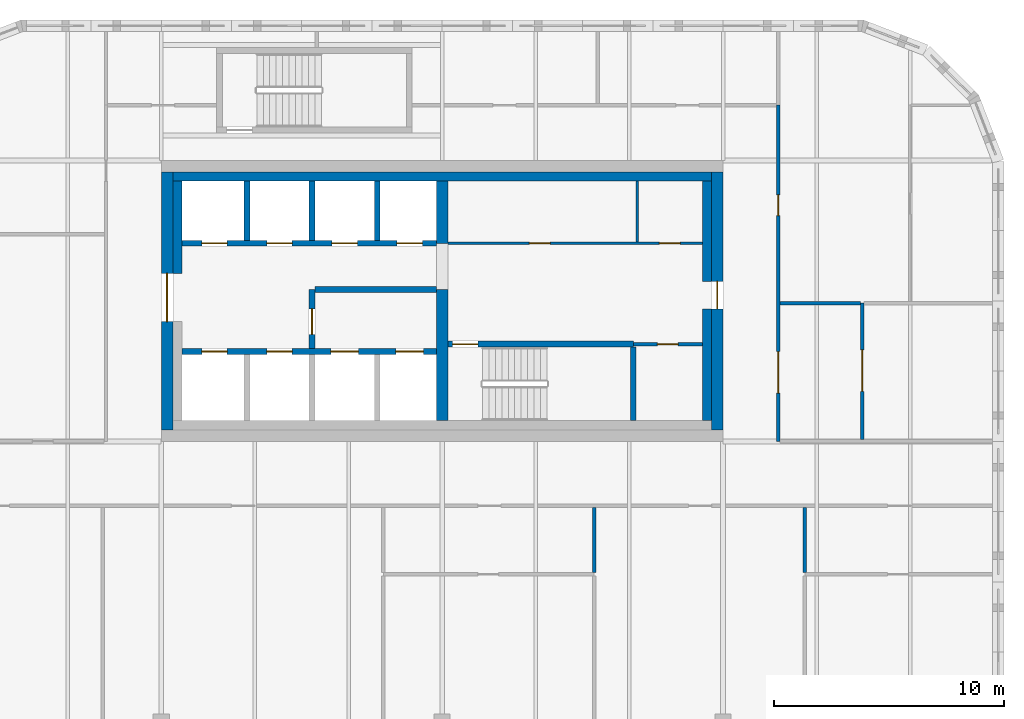
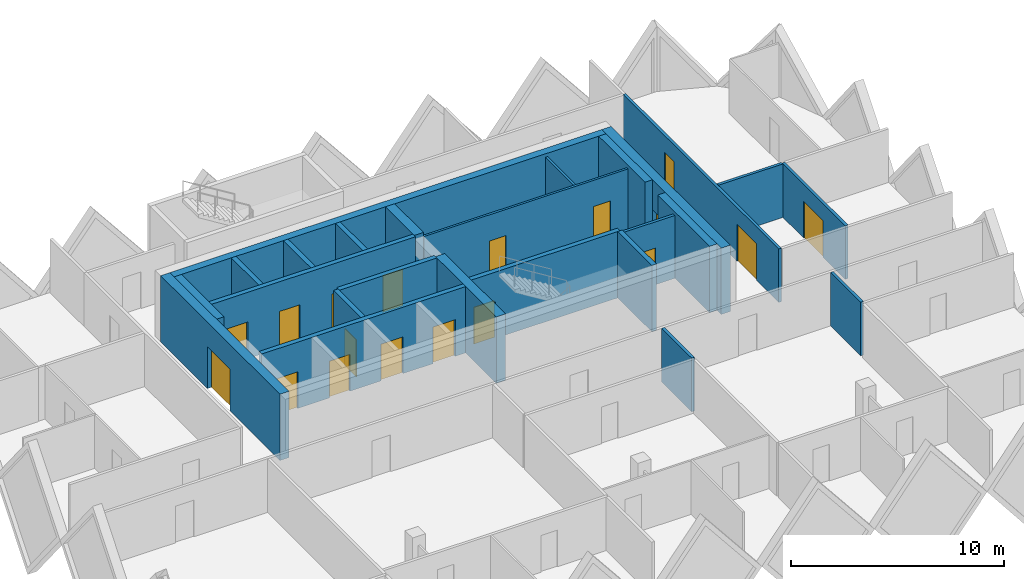
# One storey, part 14 of 19: 25 walls, 18 doors, 18 openings.
"""IFC4 building model written with IfcOpenShell, lengths in metres."""

from ifc_helpers import new_model, si_unit, direction, frame, frame_2d, origin, place, context, subcontext, project, spatial, rectangle, extrude, source, transform, mapped, material, layer, layer_set, type_object, element, fill, save


model = new_model("IFC4")

# Units and contexts
model_context = context("Model", 3, precision=1e-05, world=origin(), true_north=direction((0.0, 1.0)))
body_context = subcontext(model_context, "Body", "Model", "MODEL_VIEW")
ifc_project = project(units=[si_unit("LENGTHUNIT", "METRE"), si_unit("AREAUNIT", "SQUARE_METRE"), si_unit("VOLUMEUNIT", "CUBIC_METRE"), si_unit("PLANEANGLEUNIT", "RADIAN"), si_unit("MASSUNIT", "GRAM", prefix="KILO")], contexts=[model_context])

# Site, building, storey
site_placement = place(None, origin())
site = spatial("IfcSite", under=ifc_project, at=site_placement, CompositionType="ELEMENT")
building_placement = place(site_placement, origin())
building = spatial("IfcBuilding", under=site, at=building_placement, Name="Tessera Gate Towers", CompositionType="ELEMENT")
storey_placement = place(building_placement, frame((0.0, 0.0, 76.199951171875)))
storey = spatial("IfcBuildingStorey", under=building, at=storey_placement, Name="L18", CompositionType="ELEMENT", Elevation=76.199951171875)

# Wall, openings, doors
ifc_material_1 = material(Name="Concrete C40/50", Category="concrete")
ifc_layer_1 = layer(ifc_material_1, 0.25)
ifc_layer_set_1 = layer_set([ifc_layer_1], Name="CORE ENCLOSURE WALL 250")
wall_type_1 = type_object("IfcWallType", Name="CORE ENCLOSURE WALL 250", PredefinedType="SOLIDWALL", material=ifc_layer_set_1)
wall_1_placement = place(storey_placement, frame((98.5, 40.5, 0.0), z_axis=(0.0, 0.0, 1.0), x_axis=(1.0, 0.0, 0.0)))
wall_1 = element("IfcWall", 1, at=wall_1_placement, inside=storey, type_object=wall_type_1, Name="L18 shaft and stair enclosure wall", PredefinedType="SOLIDWALL", context=body_context, shape_type="SweptSolid", body=[
    extrude(rectangle(XDim=11.050048828125, YDim=0.25, at=frame_2d((5.52490234375, 0.0))), origin(), (0.0, 0.0, 1.0), 3.800048828125),
])
shared_shape_1 = source(origin(), body_context, "Body", "SweptSolid", [
    extrude(rectangle(XDim=1.10009765625, YDim=2.10009765625, at=frame_2d((0.550048828125, 1.050048828125))), frame((0.0, 0.135009765625, 0.0), z_axis=(0.0, -1.0, 0.0), x_axis=(1.0, 0.0, 0.0)), (0.0, 0.0, 1.0), 0.27001953125),
])
opening_1_placement = place(wall_1_placement, frame((0.862548828125, 0.0, 0.0)))
opening_1 = element("IfcOpeningElement", 2, at=opening_1_placement, cuts=wall_1, Name="Opening LD-TL1", PredefinedType="OPENING", context=body_context, shape_type="MappedRepresentation", body=[
    mapped(shared_shape_1, transform((0.0, 0.0, 0.0), scale=1.0)),
])
opening_2_placement = place(wall_1_placement, frame((3.6875, 0.0, 0.0)))
opening_2 = element("IfcOpeningElement", 3, at=opening_2_placement, cuts=wall_1, Name="Opening LD-TL2", PredefinedType="OPENING", context=body_context, shape_type="MappedRepresentation", body=[
    mapped(shared_shape_1, transform((0.0, 0.0, 0.0), scale=1.0)),
])
shared_shape_2 = source(origin(), body_context, "Body", "SweptSolid", [
    extrude(rectangle(XDim=1.199951171875, YDim=2.10009765625, at=frame_2d((0.60009765625, 1.050048828125))), frame((0.0, 0.135009765625, 0.0), z_axis=(0.0, -1.0, 0.0), x_axis=(1.0, 0.0, 0.0)), (0.0, 0.0, 1.0), 0.27001953125),
])
opening_3_placement = place(wall_1_placement, frame((6.46240234375, 0.0, 0.0)))
opening_3 = element("IfcOpeningElement", 4, at=opening_3_placement, cuts=wall_1, Name="Opening LD-FF3", PredefinedType="OPENING", context=body_context, shape_type="MappedRepresentation", body=[
    mapped(shared_shape_2, transform((0.0, 0.0, 0.0), scale=1.0)),
])
opening_4_placement = place(wall_1_placement, frame((9.28759765625, 0.0, 0.0)))
opening_4 = element("IfcOpeningElement", 5, at=opening_4_placement, cuts=wall_1, Name="Opening LD-FF4", PredefinedType="OPENING", context=body_context, shape_type="MappedRepresentation", body=[
    mapped(shared_shape_2, transform((0.0, 0.0, 0.0), scale=1.0)),
])
ifc_material_2 = material(Name="Stainless steel", Category="steel")
door_type_1 = type_object("IfcDoorType", Name="CORE DOOR LD1200 1200x2100", OperationType="DOUBLE_DOOR_SLIDING", PredefinedType="DOOR", material=ifc_material_2)
shared_shape_3 = source(origin(), body_context, "Body", "SweptSolid", [
    extrude(rectangle(XDim=1.199951171875, YDim=2.10009765625, at=frame_2d((0.60009765625, 1.050048828125))), frame((0.0, 0.02490234375, 0.0), z_axis=(0.0, -1.0, 0.0), x_axis=(1.0, 0.0, 0.0)), (0.0, 0.0, 1.0), 0.050048828125),
])
door_1_placement = place(opening_3_placement, origin())
door_1 = element("IfcDoor", 6, at=door_1_placement, inside=storey, type_object=door_type_1, Name="Landing door FF3 L18", OperationType="DOUBLE_DOOR_SLIDING", OverallHeight=2.10009765625, OverallWidth=1.199951171875, PredefinedType="DOOR", context=body_context, shape_type="MappedRepresentation", body=[
    mapped(shared_shape_3, transform((0.0, 0.0, 0.0), scale=1.0)),
])
fill(opening_3, door_1)
door_2_placement = place(opening_4_placement, origin())
door_2 = element("IfcDoor", 7, at=door_2_placement, inside=storey, type_object=door_type_1, Name="Landing door FF4 L18", OperationType="DOUBLE_DOOR_SLIDING", OverallHeight=2.10009765625, OverallWidth=1.199951171875, PredefinedType="DOOR", context=body_context, shape_type="MappedRepresentation", body=[
    mapped(shared_shape_3, transform((0.0, 0.0, 0.0), scale=1.0)),
])
fill(opening_4, door_2)
ifc_material_3 = material(Name="Stainless steel", Category="steel")
door_type_2 = type_object("IfcDoorType", Name="CORE DOOR LD 1100x2100", OperationType="DOUBLE_DOOR_SLIDING", PredefinedType="DOOR", material=ifc_material_3)
shared_shape_4 = source(origin(), body_context, "Body", "SweptSolid", [
    extrude(rectangle(XDim=1.10009765625, YDim=2.10009765625, at=frame_2d((0.550048828125, 1.050048828125))), frame((0.0, 0.02490234375, 0.0), z_axis=(0.0, -1.0, 0.0), x_axis=(1.0, 0.0, 0.0)), (0.0, 0.0, 1.0), 0.050048828125),
])
door_3_placement = place(opening_1_placement, origin())
door_3 = element("IfcDoor", 8, at=door_3_placement, inside=storey, type_object=door_type_2, Name="Landing door TL1 L18", OperationType="DOUBLE_DOOR_SLIDING", OverallHeight=2.10009765625, OverallWidth=1.10009765625, PredefinedType="DOOR", context=body_context, shape_type="MappedRepresentation", body=[
    mapped(shared_shape_4, transform((0.0, 0.0, 0.0), scale=1.0)),
])
fill(opening_1, door_3)
door_4_placement = place(opening_2_placement, origin())
door_4 = element("IfcDoor", 9, at=door_4_placement, inside=storey, type_object=door_type_2, Name="Landing door TL2 L18", OperationType="DOUBLE_DOOR_SLIDING", OverallHeight=2.10009765625, OverallWidth=1.10009765625, PredefinedType="DOOR", context=body_context, shape_type="MappedRepresentation", body=[
    mapped(shared_shape_4, transform((0.0, 0.0, 0.0), scale=1.0)),
])
fill(opening_2, door_4)

wall_2_placement = place(storey_placement, frame((109.550048828125, 45.199951171875, 0.0), z_axis=(0.0, 0.0, 1.0), x_axis=(-1.0, 0.0, 0.0)))
wall_2 = element("IfcWall", 10, at=wall_2_placement, inside=storey, type_object=wall_type_1, Name="L18 shaft and stair enclosure wall", PredefinedType="SOLIDWALL", context=body_context, shape_type="SweptSolid", body=[
    extrude(rectangle(XDim=11.050048828125, YDim=0.25, at=frame_2d((5.52490234375, 0.0))), origin(), (0.0, 0.0, 1.0), 3.800048828125),
])
opening_5_placement = place(wall_2_placement, frame((9.08740234375, 0.0, 0.0)))
opening_5 = element("IfcOpeningElement", 11, at=opening_5_placement, cuts=wall_2, Name="Opening LD-TL3", PredefinedType="OPENING", context=body_context, shape_type="MappedRepresentation", body=[
    mapped(shared_shape_1, transform((0.0, 0.0, 0.0), scale=1.0)),
])
opening_6_placement = place(wall_2_placement, frame((6.262451171875, 0.0, 0.0)))
opening_6 = element("IfcOpeningElement", 12, at=opening_6_placement, cuts=wall_2, Name="Opening LD-TL4", PredefinedType="OPENING", context=body_context, shape_type="MappedRepresentation", body=[
    mapped(shared_shape_1, transform((0.0, 0.0, 0.0), scale=1.0)),
])
opening_7_placement = place(wall_2_placement, frame((3.4375, 0.0, 0.0)))
opening_7 = element("IfcOpeningElement", 13, at=opening_7_placement, cuts=wall_2, Name="Opening LD-TL5", PredefinedType="OPENING", context=body_context, shape_type="MappedRepresentation", body=[
    mapped(shared_shape_1, transform((0.0, 0.0, 0.0), scale=1.0)),
])
opening_8_placement = place(wall_2_placement, frame((0.612548828125, 0.0, 0.0)))
opening_8 = element("IfcOpeningElement", 14, at=opening_8_placement, cuts=wall_2, Name="Opening LD-TL6", PredefinedType="OPENING", context=body_context, shape_type="MappedRepresentation", body=[
    mapped(shared_shape_1, transform((0.0, 0.0, 0.0), scale=1.0)),
])
door_5_placement = place(opening_5_placement, origin())
door_5 = element("IfcDoor", 15, at=door_5_placement, inside=storey, type_object=door_type_2, Name="Landing door TL3 L18", OperationType="DOUBLE_DOOR_SLIDING", OverallHeight=2.10009765625, OverallWidth=1.10009765625, PredefinedType="DOOR", context=body_context, shape_type="MappedRepresentation", body=[
    mapped(shared_shape_4, transform((0.0, 0.0, 0.0), scale=1.0)),
])
fill(opening_5, door_5)
door_6_placement = place(opening_6_placement, origin())
door_6 = element("IfcDoor", 16, at=door_6_placement, inside=storey, type_object=door_type_2, Name="Landing door TL4 L18", OperationType="DOUBLE_DOOR_SLIDING", OverallHeight=2.10009765625, OverallWidth=1.10009765625, PredefinedType="DOOR", context=body_context, shape_type="MappedRepresentation", body=[
    mapped(shared_shape_4, transform((0.0, 0.0, 0.0), scale=1.0)),
])
fill(opening_6, door_6)
door_7_placement = place(opening_7_placement, origin())
door_7 = element("IfcDoor", 17, at=door_7_placement, inside=storey, type_object=door_type_2, Name="Landing door TL5 L18", OperationType="DOUBLE_DOOR_SLIDING", OverallHeight=2.10009765625, OverallWidth=1.10009765625, PredefinedType="DOOR", context=body_context, shape_type="MappedRepresentation", body=[
    mapped(shared_shape_4, transform((0.0, 0.0, 0.0), scale=1.0)),
])
fill(opening_7, door_7)
door_8_placement = place(opening_8_placement, origin())
door_8 = element("IfcDoor", 18, at=door_8_placement, inside=storey, type_object=door_type_2, Name="Landing door TL6 L18", OperationType="DOUBLE_DOOR_SLIDING", OverallHeight=2.10009765625, OverallWidth=1.10009765625, PredefinedType="DOOR", context=body_context, shape_type="MappedRepresentation", body=[
    mapped(shared_shape_4, transform((0.0, 0.0, 0.0), scale=1.0)),
])
fill(opening_8, door_8)

# Wall, opening, door
wall_3_placement = place(storey_placement, frame((118.10009765625, 40.824951171875, 0.0), z_axis=(0.0, 0.0, 1.0), x_axis=(-1.0, 0.0, 0.0)))
wall_3 = element("IfcWall", 19, at=wall_3_placement, inside=storey, type_object=wall_type_1, Name="L18 shaft and stair enclosure wall", PredefinedType="SOLIDWALL", context=body_context, shape_type="SweptSolid", body=[
    extrude(rectangle(XDim=8.050048828125, YDim=0.25, at=frame_2d((4.02490234375, 0.0))), origin(), (0.0, 0.0, 1.0), 3.800048828125),
])
opening_9_placement = place(wall_3_placement, frame((6.75, 0.0, 0.0)))
opening_9 = element("IfcOpeningElement", 20, at=opening_9_placement, cuts=wall_3, Name="Opening SD-ST6-1", PredefinedType="OPENING", context=body_context, shape_type="MappedRepresentation", body=[
    mapped(shared_shape_1, transform((0.0, 0.0, 0.0), scale=1.0)),
])
ifc_material_4 = material(Name="Hollow steel fire door", Category="steel")
door_type_3 = type_object("IfcDoorType", Name="CORE DOOR SD1100 1100x2100", OperationType="NOTDEFINED", PredefinedType="DOOR", material=ifc_material_4)
door_9_placement = place(opening_9_placement, origin())
door_9 = element("IfcDoor", 21, at=door_9_placement, inside=storey, type_object=door_type_3, Name="Stair door", OperationType="SINGLE_SWING_RIGHT", OverallHeight=2.10009765625, OverallWidth=1.10009765625, PredefinedType="DOOR", context=body_context, shape_type="MappedRepresentation", body=[
    mapped(shared_shape_4, transform((0.0, 0.0, 0.0), scale=1.0)),
])
fill(opening_9, door_9)

wall_4_placement = place(storey_placement, frame((104.14990234375, 43.199951171875, 0.0), z_axis=(0.0, 0.0, 1.0), x_axis=(0.0, -1.0, 0.0)))
wall_4 = element("IfcWall", 22, at=wall_4_placement, inside=storey, type_object=wall_type_1, Name="L18 shaft and stair enclosure wall", PredefinedType="SOLIDWALL", context=body_context, shape_type="SweptSolid", body=[
    extrude(rectangle(XDim=2.574951171875, YDim=0.25, at=frame_2d((1.28759765625, 0.0))), origin(), (0.0, 0.0, 1.0), 3.800048828125),
])
opening_10_placement = place(wall_4_placement, frame((0.85009765625, 0.0, 0.0)))
opening_10 = element("IfcOpeningElement", 23, at=opening_10_placement, cuts=wall_4, Name="Opening FD-T2-10-03", PredefinedType="OPENING", context=body_context, shape_type="MappedRepresentation", body=[
    mapped(shared_shape_1, transform((0.0, 0.0, 0.0), scale=1.0)),
])
ifc_material_5 = material(Name="Hollow steel fire door", Category="steel")
door_type_4 = type_object("IfcDoorType", Name="CORE DOOR FD 1100x2100", OperationType="NOTDEFINED", PredefinedType="DOOR", material=ifc_material_5)
door_10_placement = place(opening_10_placement, origin())
door_10 = element("IfcDoor", 24, at=door_10_placement, inside=storey, type_object=door_type_4, Name="Fire-fighting lobby door", OperationType="SINGLE_SWING_RIGHT", OverallHeight=2.10009765625, OverallWidth=1.10009765625, PredefinedType="DOOR", context=body_context, shape_type="MappedRepresentation", body=[
    mapped(shared_shape_4, transform((0.0, 0.0, 0.0), scale=1.0)),
])
fill(opening_10, door_10)

# Walls
wall_5_placement = place(storey_placement, frame((104.27490234375, 43.199951171875, 0.0), z_axis=(0.0, 0.0, 1.0), x_axis=(1.0, 0.0, 0.0)))
element("IfcWall", 25, at=wall_5_placement, inside=storey, type_object=wall_type_1, Name="L18 shaft and stair enclosure wall", PredefinedType="SOLIDWALL", context=body_context, shape_type="SweptSolid", body=[
    extrude(rectangle(XDim=5.275146484375, YDim=0.25, at=frame_2d((2.6376953125, 0.0))), origin(), (0.0, 0.0, 1.0), 3.800048828125),
])
wall_6_placement = place(storey_placement, frame((118.10009765625, 37.5, 0.0), z_axis=(0.0, 0.0, 1.0), x_axis=(0.0, 1.0, 0.0)))
element("IfcWall", 26, at=wall_6_placement, inside=storey, type_object=wall_type_1, Name="L18 shaft and stair enclosure wall", PredefinedType="SOLIDWALL", context=body_context, shape_type="SweptSolid", body=[
    extrude(rectangle(XDim=3.199951171875, YDim=0.25, at=frame_2d((1.60009765625, 0.0))), origin(), (0.0, 0.0, 1.0), 3.800048828125),
])
for number, where, z_axis, x_axis, name in (
    (27, (101.324951171875, 45.324951171875, 0.0), (0.0, 0.0, 1.0), (0.0, 1.0, 0.0), "L18 shaft and stair enclosure wall"),
    (28, (104.14990234375, 45.324951171875, 0.0), (0.0, 0.0, 1.0), (0.0, 1.0, 0.0), "L18 shaft and stair enclosure wall"),
    (29, (106.97509765625, 45.324951171875, 0.0), (0.0, 0.0, 1.0), (0.0, 1.0, 0.0), "L18 shaft and stair enclosure wall"),
):
    element("IfcWall", number, at=place(storey_placement, frame(where, z_axis=z_axis, x_axis=x_axis)), inside=storey, type_object=wall_type_1, Name=name, PredefinedType="SOLIDWALL", context=body_context, shape_type="SweptSolid", body=[
        extrude(rectangle(XDim=2.574951171875, YDim=0.25, at=frame_2d((1.28759765625, 0.0))), origin(), (0.0, 0.0, 1.0), 3.800048828125),
    ])

# Wall, openings, doors
ifc_material_6 = material(Name="Gypsum board on steel studs", Category="steel")
ifc_layer_2 = layer(ifc_material_6, 0.1201171875)
ifc_layer_set_2 = layer_set([ifc_layer_2], Name="CORE PARTITION 120")
wall_type_2 = type_object("IfcWallType", Name="CORE PARTITION 120", PredefinedType="PARTITIONING", material=ifc_layer_set_2)
wall_7_placement = place(storey_placement, frame((110.050048828125, 45.199951171875, 0.0), z_axis=(0.0, 0.0, 1.0), x_axis=(1.0, 0.0, 0.0)))
wall_7 = element("IfcWall", 30, at=wall_7_placement, inside=storey, type_object=wall_type_2, Name="L18 core partition", PredefinedType="PARTITIONING", context=body_context, shape_type="SweptSolid", body=[
    extrude(rectangle(XDim=11.050048828125, YDim=0.1201171875, at=frame_2d((5.52490234375, 0.0))), origin(), (0.0, 0.0, 1.0), 3.60009765625),
])
shared_shape_5 = source(origin(), body_context, "Body", "SweptSolid", [
    extrude(rectangle(XDim=0.89990234375, YDim=2.10009765625, at=frame_2d((0.449951171875, 1.050048828125))), frame((0.0, 0.070068359375, 0.0), z_axis=(0.0, -1.0, 0.0), x_axis=(1.0, 0.0, 0.0)), (0.0, 0.0, 1.0), 0.14013671875),
])
opening_11_placement = place(wall_7_placement, frame((3.53759765625, 0.0, 0.0)))
opening_11 = element("IfcOpeningElement", 31, at=opening_11_placement, cuts=wall_7, Name="Opening RD-T2-10-04", PredefinedType="OPENING", context=body_context, shape_type="MappedRepresentation", body=[
    mapped(shared_shape_5, transform((0.0, 0.0, 0.0), scale=1.0)),
])
opening_12_placement = place(wall_7_placement, frame((9.1875, 0.0, 0.0)))
opening_12 = element("IfcOpeningElement", 32, at=opening_12_placement, cuts=wall_7, Name="Opening RD-T2-10-05", PredefinedType="OPENING", context=body_context, shape_type="MappedRepresentation", body=[
    mapped(shared_shape_5, transform((0.0, 0.0, 0.0), scale=1.0)),
])
ifc_material_7 = material(Name="Hollow steel fire door", Category="steel")
door_type_5 = type_object("IfcDoorType", Name="CORE DOOR RD 900x2100", OperationType="NOTDEFINED", PredefinedType="DOOR", material=ifc_material_7)
shared_shape_6 = source(origin(), body_context, "Body", "SweptSolid", [
    extrude(rectangle(XDim=0.89990234375, YDim=2.10009765625, at=frame_2d((0.449951171875, 1.050048828125))), frame((0.0, 0.02490234375, 0.0), z_axis=(0.0, -1.0, 0.0), x_axis=(1.0, 0.0, 0.0)), (0.0, 0.0, 1.0), 0.050048828125),
])
door_11_placement = place(opening_11_placement, origin())
door_11 = element("IfcDoor", 33, at=door_11_placement, inside=storey, type_object=door_type_5, Name="Core room door", OperationType="SINGLE_SWING_LEFT", OverallHeight=2.10009765625, OverallWidth=0.89990234375, PredefinedType="DOOR", context=body_context, shape_type="MappedRepresentation", body=[
    mapped(shared_shape_6, transform((0.0, 0.0, 0.0), scale=1.0)),
])
fill(opening_11, door_11)
door_12_placement = place(opening_12_placement, origin())
door_12 = element("IfcDoor", 34, at=door_12_placement, inside=storey, type_object=door_type_5, Name="Core room door", OperationType="SINGLE_SWING_RIGHT", OverallHeight=2.10009765625, OverallWidth=0.89990234375, PredefinedType="DOOR", context=body_context, shape_type="MappedRepresentation", body=[
    mapped(shared_shape_6, transform((0.0, 0.0, 0.0), scale=1.0)),
])
fill(opening_12, door_12)

# Wall
wall_8_placement = place(storey_placement, frame((118.27490234375, 45.260009765625, 0.0), z_axis=(0.0, 0.0, 1.0), x_axis=(0.0, 1.0, 0.0)))
element("IfcWall", 35, at=wall_8_placement, inside=storey, type_object=wall_type_2, Name="L18 core partition", PredefinedType="PARTITIONING", context=body_context, shape_type="SweptSolid", body=[
    extrude(rectangle(XDim=2.639892578125, YDim=0.1201171875, at=frame_2d((1.31982421875, 0.0))), origin(), (0.0, 0.0, 1.0), 3.60009765625),
])

# Wall, opening, door
ifc_material_8 = material(Name="Concrete C50/60", Category="concrete")
ifc_layer_3 = layer(ifc_material_8, 0.5)
ifc_layer_set_3 = layer_set([ifc_layer_3], Name="CORE SHEAR WALL 500 C50/60")
wall_type_3 = type_object("IfcWallType", Name="CORE SHEAR WALL 500 C50/60", PredefinedType="SHEAR", material=ifc_layer_set_3)
wall_9_placement = place(storey_placement, frame((97.85009765625, 37.10009765625, 0.0), z_axis=(0.0, 0.0, 1.0), x_axis=(0.0, 1.0, 0.0)))
wall_9 = element("IfcWall", 36, at=wall_9_placement, inside=storey, type_object=wall_type_3, Name="Core wall W L18", PredefinedType="SHEAR", context=body_context, shape_type="SweptSolid", body=[
    extrude(rectangle(XDim=11.199951171875, YDim=0.5, at=frame_2d((5.60009765625, 0.0))), origin(), (0.0, 0.0, 1.0), 3.800048828125),
])
shared_shape_7 = source(origin(), body_context, "Body", "SweptSolid", [
    extrude(rectangle(XDim=2.10009765625, YDim=2.39990234375, at=frame_2d((1.050048828125, 1.199951171875))), frame((0.0, 0.260009765625, 0.0), z_axis=(0.0, -1.0, 0.0), x_axis=(1.0, 0.0, 0.0)), (0.0, 0.0, 1.0), 0.52001953125),
])
opening_13_placement = place(wall_9_placement, frame((4.699951171875, 0.0, 0.0)))
opening_13 = element("IfcOpeningElement", 37, at=opening_13_placement, cuts=wall_9, Name="Opening DD-T2-10-01", PredefinedType="OPENING", context=body_context, shape_type="MappedRepresentation", body=[
    mapped(shared_shape_7, transform((0.0, 0.0, 0.0), scale=1.0)),
])
ifc_material_9 = material(Name="Hollow steel fire door", Category="steel")
door_type_6 = type_object("IfcDoorType", Name="CORE DOOR DD 2100x2400", OperationType="NOTDEFINED", PredefinedType="DOOR", material=ifc_material_9)
shared_shape_8 = source(origin(), body_context, "Body", "SweptSolid", [
    extrude(rectangle(XDim=2.10009765625, YDim=2.39990234375, at=frame_2d((1.050048828125, 1.199951171875))), frame((0.0, 0.02490234375, 0.0), z_axis=(0.0, -1.0, 0.0), x_axis=(1.0, 0.0, 0.0)), (0.0, 0.0, 1.0), 0.050048828125),
])
door_13_placement = place(opening_13_placement, origin())
door_13 = element("IfcDoor", 38, at=door_13_placement, inside=storey, type_object=door_type_6, Name="Core entrance door", OperationType="DOUBLE_DOOR_SINGLE_SWING", OverallHeight=2.39990234375, OverallWidth=2.10009765625, PredefinedType="DOOR", context=body_context, shape_type="MappedRepresentation", body=[
    mapped(shared_shape_8, transform((0.0, 0.0, 0.0), scale=1.0)),
])
fill(opening_13, door_13)

wall_10_placement = place(storey_placement, frame((121.75, 48.300048828125, 0.0), z_axis=(0.0, 0.0, 1.0), x_axis=(0.0, -1.0, 0.0)))
wall_10 = element("IfcWall", 39, at=wall_10_placement, inside=storey, type_object=wall_type_3, Name="Core wall E L18", PredefinedType="SHEAR", context=body_context, shape_type="SweptSolid", body=[
    extrude(rectangle(XDim=11.199951171875, YDim=0.5, at=frame_2d((5.60009765625, 0.0))), origin(), (0.0, 0.0, 1.0), 3.800048828125),
])
shared_shape_9 = source(origin(), body_context, "Body", "SweptSolid", [
    extrude(rectangle(XDim=1.199951171875, YDim=2.10009765625, at=frame_2d((0.60009765625, 1.050048828125))), frame((0.0, 0.260009765625, 0.0), z_axis=(0.0, -1.0, 0.0), x_axis=(1.0, 0.0, 0.0)), (0.0, 0.0, 1.0), 0.52001953125),
])
opening_14_placement = place(wall_10_placement, frame((4.75, 0.0, 0.0)))
opening_14 = element("IfcOpeningElement", 40, at=opening_14_placement, cuts=wall_10, Name="Opening ED-T2-10-02", PredefinedType="OPENING", context=body_context, shape_type="MappedRepresentation", body=[
    mapped(shared_shape_9, transform((0.0, 0.0, 0.0), scale=1.0)),
])
ifc_material_10 = material(Name="Hollow steel fire door", Category="steel")
door_type_7 = type_object("IfcDoorType", Name="CORE DOOR ED 1200x2100", OperationType="NOTDEFINED", PredefinedType="DOOR", material=ifc_material_10)
door_14_placement = place(opening_14_placement, origin())
door_14 = element("IfcDoor", 41, at=door_14_placement, inside=storey, type_object=door_type_7, Name="Core exit door", OperationType="SINGLE_SWING_LEFT", OverallHeight=2.10009765625, OverallWidth=1.199951171875, PredefinedType="DOOR", context=body_context, shape_type="MappedRepresentation", body=[
    mapped(shared_shape_3, transform((0.0, 0.0, 0.0), scale=1.0)),
])
fill(opening_14, door_14)

# Walls
ifc_material_11 = material(Name="Concrete C50/60", Category="concrete")
ifc_layer_4 = layer(ifc_material_11, 0.5)
ifc_layer_set_4 = layer_set([ifc_layer_4], Name="CORE SPINE WALL 500 C50/60")
wall_type_4 = type_object("IfcWallType", Name="CORE SPINE WALL 500 C50/60", PredefinedType="SHEAR", material=ifc_layer_set_4)
wall_11_placement = place(storey_placement, frame((109.800048828125, 37.5, 0.0), z_axis=(0.0, 0.0, 1.0), x_axis=(0.0, 1.0, 0.0)))
element("IfcWall", 42, at=wall_11_placement, inside=storey, type_object=wall_type_4, Name="Core wall spine L18", PredefinedType="SHEAR", context=body_context, shape_type="SweptSolid", body=[
    extrude(rectangle(XDim=5.699951171875, YDim=0.5, at=frame_2d((2.85009765625, 0.0))), origin(), (0.0, 0.0, 1.0), 3.800048828125),
])
wall_12_placement = place(storey_placement, frame((109.800048828125, 45.199951171875, 0.0), z_axis=(0.0, 0.0, 1.0), x_axis=(0.0, 1.0, 0.0)))
element("IfcWall", 43, at=wall_12_placement, inside=storey, type_object=wall_type_4, Name="Core wall spine L18", PredefinedType="SHEAR", context=body_context, shape_type="SweptSolid", body=[
    extrude(rectangle(XDim=2.699951171875, YDim=0.5, at=frame_2d((1.35009765625, 0.0))), origin(), (0.0, 0.0, 1.0), 3.800048828125),
])
ifc_material_12 = material(Name="Concrete C50/60", Category="concrete")
ifc_layer_5 = layer(ifc_material_12, 0.39990234375)
ifc_layer_set_5 = layer_set([ifc_layer_5], Name="CORE WALL THICKENING 400")
wall_type_5 = type_object("IfcWallType", Name="CORE WALL THICKENING 400", PredefinedType="SOLIDWALL", material=ifc_layer_set_5)
wall_13_placement = place(storey_placement, frame((98.10009765625, 48.10009765625, 0.0), z_axis=(0.0, 0.0, 1.0), x_axis=(1.0, 0.0, 0.0)))
element("IfcWall", 44, at=wall_13_placement, inside=storey, type_object=wall_type_5, Name="Core wall thickening N L18", PredefinedType="SOLIDWALL", context=body_context, shape_type="SweptSolid", body=[
    extrude(rectangle(XDim=23.39990234375, YDim=0.39990234375, at=frame_2d((11.699951171875, 0.0))), origin(), (0.0, 0.0, 1.0), 3.800048828125),
])
wall_14_placement = place(storey_placement, frame((98.300048828125, 43.89990234375, 0.0), z_axis=(0.0, 0.0, 1.0), x_axis=(0.0, 1.0, 0.0)))
element("IfcWall", 45, at=wall_14_placement, inside=storey, type_object=wall_type_5, Name="Core wall thickening W L18", PredefinedType="SOLIDWALL", context=body_context, shape_type="SweptSolid", body=[
    extrude(rectangle(XDim=4.0, YDim=0.39990234375, at=frame_2d((2.0, 0.0))), origin(), (0.0, 0.0, 1.0), 3.800048828125),
])
wall_15_placement = place(storey_placement, frame((121.300048828125, 37.5, 0.0), z_axis=(0.0, 0.0, 1.0), x_axis=(0.0, 1.0, 0.0)))
element("IfcWall", 46, at=wall_15_placement, inside=storey, type_object=wall_type_5, Name="Core wall thickening E L18", PredefinedType="SOLIDWALL", context=body_context, shape_type="SweptSolid", body=[
    extrude(rectangle(XDim=4.85009765625, YDim=0.39990234375, at=frame_2d((2.425048828125, 0.0))), origin(), (0.0, 0.0, 1.0), 3.800048828125),
])
wall_16_placement = place(storey_placement, frame((121.300048828125, 43.550048828125, 0.0), z_axis=(0.0, 0.0, 1.0), x_axis=(0.0, 1.0, 0.0)))
element("IfcWall", 47, at=wall_16_placement, inside=storey, type_object=wall_type_5, Name="Core wall thickening E L18", PredefinedType="SOLIDWALL", context=body_context, shape_type="SweptSolid", body=[
    extrude(rectangle(XDim=4.349853515625, YDim=0.39990234375, at=frame_2d((2.1748046875, 0.0))), origin(), (0.0, 0.0, 1.0), 3.800048828125),
])

# Wall, openings, doors
ifc_material_13 = material(Name="Gypsum board on steel studs, mineral wool", Category="steel")
ifc_layer_6 = layer(ifc_material_13, 0.14990234375)
ifc_layer_set_6 = layer_set([ifc_layer_6], Name="CORRIDOR WALL 150")
wall_type_6 = type_object("IfcWallType", Name="CORRIDOR WALL 150", PredefinedType="PARTITIONING", material=ifc_layer_set_6)
wall_17_placement = place(storey_placement, frame((124.39990234375, 51.199951171875, 0.0), z_axis=(0.0, 0.0, 1.0), x_axis=(0.0, -1.0, 0.0)))
wall_17 = element("IfcWall", 48, at=wall_17_placement, inside=storey, type_object=wall_type_6, Name="T2-L18-PW-030", PredefinedType="PARTITIONING", context=body_context, shape_type="SweptSolid", body=[
    extrude(rectangle(XDim=14.599853515625, YDim=0.14990234375, at=frame_2d((7.2998046875, 0.0))), origin(), (0.0, 0.0, 1.0), 3.067138671875),
])
shared_shape_10 = source(origin(), body_context, "Body", "SweptSolid", [
    extrude(rectangle(XDim=0.89990234375, YDim=2.10009765625, at=frame_2d((0.449951171875, 1.050048828125))), frame((0.0, 0.0849609375, 0.0), z_axis=(0.0, -1.0, 0.0), x_axis=(1.0, 0.0, 0.0)), (0.0, 0.0, 1.0), 0.169921875),
])
opening_15_placement = place(wall_17_placement, frame((3.89990234375, 0.0, 0.0)))
opening_15 = element("IfcOpeningElement", 49, at=opening_15_placement, cuts=wall_17, Name="Opening D890FD60-B07-02", PredefinedType="OPENING", context=body_context, shape_type="MappedRepresentation", body=[
    mapped(shared_shape_10, transform((0.0, 0.0, 0.0), scale=1.0)),
])
shared_shape_11 = source(origin(), body_context, "Body", "SweptSolid", [
    extrude(rectangle(XDim=1.800048828125, YDim=2.10009765625, at=frame_2d((0.89990234375, 1.050048828125))), frame((0.0, 0.0849609375, 0.0), z_axis=(0.0, -1.0, 0.0), x_axis=(1.0, 0.0, 0.0)), (0.0, 0.0, 1.0), 0.169921875),
])
opening_16_placement = place(wall_17_placement, frame((10.699951171875, 0.0, 0.0)))
opening_16 = element("IfcOpeningElement", 50, at=opening_16_placement, cuts=wall_17, Name="Opening D2180FD60-B07-01", PredefinedType="OPENING", context=body_context, shape_type="MappedRepresentation", body=[
    mapped(shared_shape_11, transform((0.0, 0.0, 0.0), scale=1.0)),
])
ifc_material_14 = material(Name="Timber door leaf in steel frame", Category="steel")
door_type_8 = type_object("IfcDoorType", Name="CORRIDOR DOOR 900 FD60", OperationType="NOTDEFINED", PredefinedType="DOOR", material=ifc_material_14)
door_15_placement = place(opening_15_placement, origin())
door_15 = element("IfcDoor", 51, at=door_15_placement, inside=storey, type_object=door_type_8, Name="T2-L18-PD-020", OperationType="SINGLE_SWING_RIGHT", OverallHeight=2.10009765625, OverallWidth=0.89990234375, PredefinedType="DOOR", context=body_context, shape_type="MappedRepresentation", body=[
    mapped(shared_shape_6, transform((0.0, 0.0, 0.0), scale=1.0)),
])
fill(opening_15, door_15)
ifc_material_15 = material(Name="Timber door leaf in steel frame", Category="steel")
door_type_9 = type_object("IfcDoorType", Name="TENANCY ENTRANCE DOUBLE DOOR 1800 FD60", OperationType="NOTDEFINED", PredefinedType="DOOR", material=ifc_material_15)
shared_shape_12 = source(origin(), body_context, "Body", "SweptSolid", [
    extrude(rectangle(XDim=1.800048828125, YDim=2.10009765625, at=frame_2d((0.89990234375, 1.050048828125))), frame((0.0, 0.02490234375, 0.0), z_axis=(0.0, -1.0, 0.0), x_axis=(1.0, 0.0, 0.0)), (0.0, 0.0, 1.0), 0.050048828125),
])
door_16_placement = place(opening_16_placement, origin())
door_16 = element("IfcDoor", 52, at=door_16_placement, inside=storey, type_object=door_type_9, Name="T2-L18-PD-025", OperationType="DOUBLE_DOOR_SINGLE_SWING", OverallHeight=2.10009765625, OverallWidth=1.800048828125, PredefinedType="DOOR", context=body_context, shape_type="MappedRepresentation", body=[
    mapped(shared_shape_12, transform((0.0, 0.0, 0.0), scale=1.0)),
])
fill(opening_16, door_16)

# Wall, opening, door
ifc_material_16 = material(Name="Gypsum board on steel studs", Category="steel")
ifc_layer_7 = layer(ifc_material_16, 0.14990234375)
ifc_layer_set_7 = layer_set([ifc_layer_7], Name="SERVICE ROOM WALL 150")
wall_type_7 = type_object("IfcWallType", Name="SERVICE ROOM WALL 150", PredefinedType="PARTITIONING", material=ifc_layer_set_7)
wall_18_placement = place(storey_placement, frame((121.10009765625, 40.824951171875, 0.0), z_axis=(0.0, 0.0, 1.0), x_axis=(-1.0, 0.0, 0.0)))
wall_18 = element("IfcWall", 53, at=wall_18_placement, inside=storey, type_object=wall_type_7, Name="L18 service room wall", PredefinedType="PARTITIONING", context=body_context, shape_type="SweptSolid", body=[
    extrude(rectangle(XDim=3.0, YDim=0.14990234375, at=frame_2d((1.5, 0.0))), origin(), (0.0, 0.0, 1.0), 3.60009765625),
])
opening_17_placement = place(wall_18_placement, frame((1.050048828125, 0.0, 0.0)))
opening_17 = element("IfcOpeningElement", 54, at=opening_17_placement, cuts=wall_18, Name="Opening RD-T2-10-06", PredefinedType="OPENING", context=body_context, shape_type="MappedRepresentation", body=[
    mapped(shared_shape_10, transform((0.0, 0.0, 0.0), scale=1.0)),
])
door_17_placement = place(opening_17_placement, origin())
door_17 = element("IfcDoor", 55, at=door_17_placement, inside=storey, type_object=door_type_5, Name="Core room door", OperationType="SINGLE_SWING_RIGHT", OverallHeight=2.10009765625, OverallWidth=0.89990234375, PredefinedType="DOOR", context=body_context, shape_type="MappedRepresentation", body=[
    mapped(shared_shape_6, transform((0.0, 0.0, 0.0), scale=1.0)),
])
fill(opening_17, door_17)

# Walls
ifc_material_17 = material(Name="Gypsum board on steel studs, mineral wool", Category="steel")
ifc_layer_8 = layer(ifc_material_17, 0.14990234375)
ifc_layer_set_8 = layer_set([ifc_layer_8], Name="TENANCY WALL 150")
wall_type_8 = type_object("IfcWallType", Name="TENANCY WALL 150", PredefinedType="PARTITIONING", material=ifc_layer_set_8)
for number, where, z_axis, x_axis, name in (
    (56, (116.39990234375, 30.90087890625, 0.0), (0.0, 0.0, 1.0), (0.0, 1.0, 0.0), "T2-L18-PW-025"),
    (57, (125.550048828125, 30.90087890625, 0.0), (0.0, 0.0, 1.0), (0.0, 1.0, 0.0), "T2-L18-PW-026"),
):
    element("IfcWall", number, at=place(storey_placement, frame(where, z_axis=z_axis, x_axis=x_axis)), inside=storey, type_object=wall_type_8, Name=name, PredefinedType="PARTITIONING", context=body_context, shape_type="SweptSolid", body=[
        extrude(rectangle(XDim=2.8232421875, YDim=0.14990234375, at=frame_2d((1.41162109375, 0.0))), origin(), (0.0, 0.0, 1.0), 3.067138671875),
    ])

# Wall, opening, door
wall_19_placement = place(storey_placement, frame((128.050048828125, 42.60009765625, 0.0), z_axis=(0.0, 0.0, 1.0), x_axis=(0.0, -1.0, 0.0)))
wall_19 = element("IfcWall", 58, at=wall_19_placement, inside=storey, type_object=wall_type_8, Name="T2-L18-PW-033", PredefinedType="PARTITIONING", context=body_context, shape_type="SweptSolid", body=[
    extrude(rectangle(XDim=5.924072265625, YDim=0.14990234375, at=frame_2d((2.9619140625, 0.0))), origin(), (0.0, 0.0, 1.0), 3.067138671875),
])
opening_18_placement = place(wall_19_placement, frame((2.02392578125, 0.0, 0.0)))
opening_18 = element("IfcOpeningElement", 59, at=opening_18_placement, cuts=wall_19, Name="Opening D7180-B07-01", PredefinedType="OPENING", context=body_context, shape_type="MappedRepresentation", body=[
    mapped(shared_shape_11, transform((0.0, 0.0, 0.0), scale=1.0)),
])
ifc_material_18 = material(Name="Timber door leaf in steel frame", Category="steel")
door_type_10 = type_object("IfcDoorType", Name="DOUBLE DOOR 1800 NOT RATED", OperationType="NOTDEFINED", PredefinedType="DOOR", material=ifc_material_18)
door_18_placement = place(opening_18_placement, origin())
door_18 = element("IfcDoor", 60, at=door_18_placement, inside=storey, type_object=door_type_10, Name="T2-L18-PD-012", OperationType="DOUBLE_DOOR_SINGLE_SWING", OverallHeight=2.10009765625, OverallWidth=1.800048828125, PredefinedType="DOOR", context=body_context, shape_type="MappedRepresentation", body=[
    mapped(shared_shape_12, transform((0.0, 0.0, 0.0), scale=1.0)),
])
fill(opening_18, door_18)

# Wall
wall_20_placement = place(storey_placement, frame((124.47607421875, 42.60009765625, 0.0), z_axis=(0.0, 0.0, 1.0), x_axis=(1.0, 0.0, 0.0)))
element("IfcWall", 61, at=wall_20_placement, inside=storey, type_object=wall_type_8, Name="T2-L18-PW-036", PredefinedType="PARTITIONING", context=body_context, shape_type="SweptSolid", body=[
    extrude(rectangle(XDim=3.498046875, YDim=0.14990234375, at=frame_2d((1.7490234375, 0.0))), origin(), (0.0, 0.0, 1.0), 3.067138671875),
])

save(model, "model.ifc")
